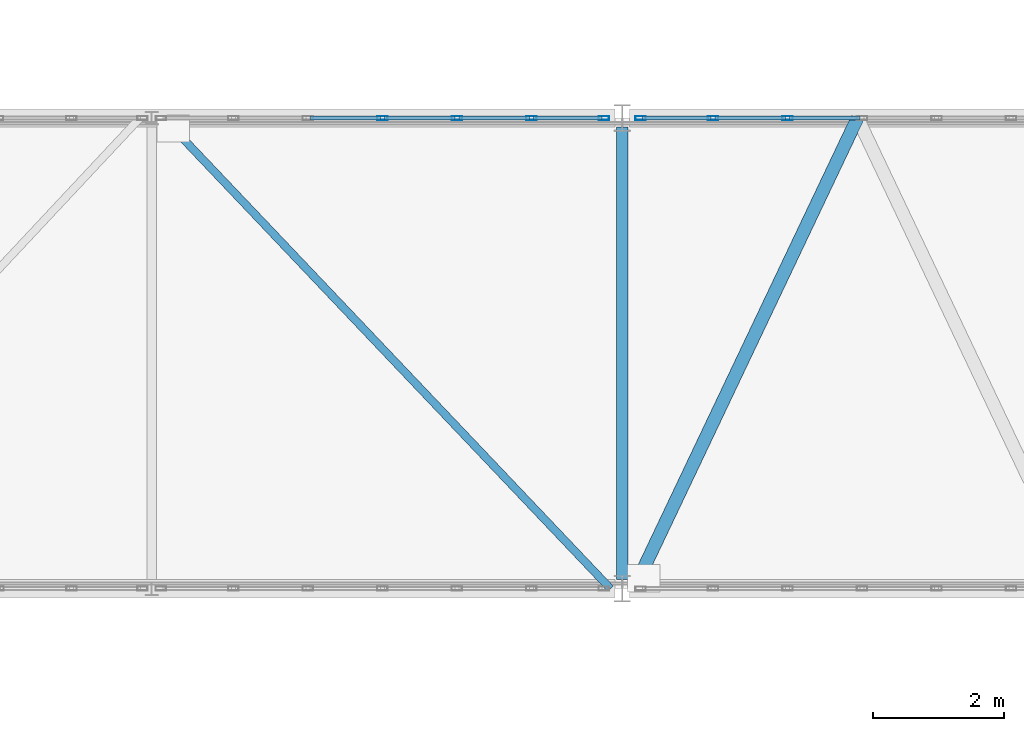
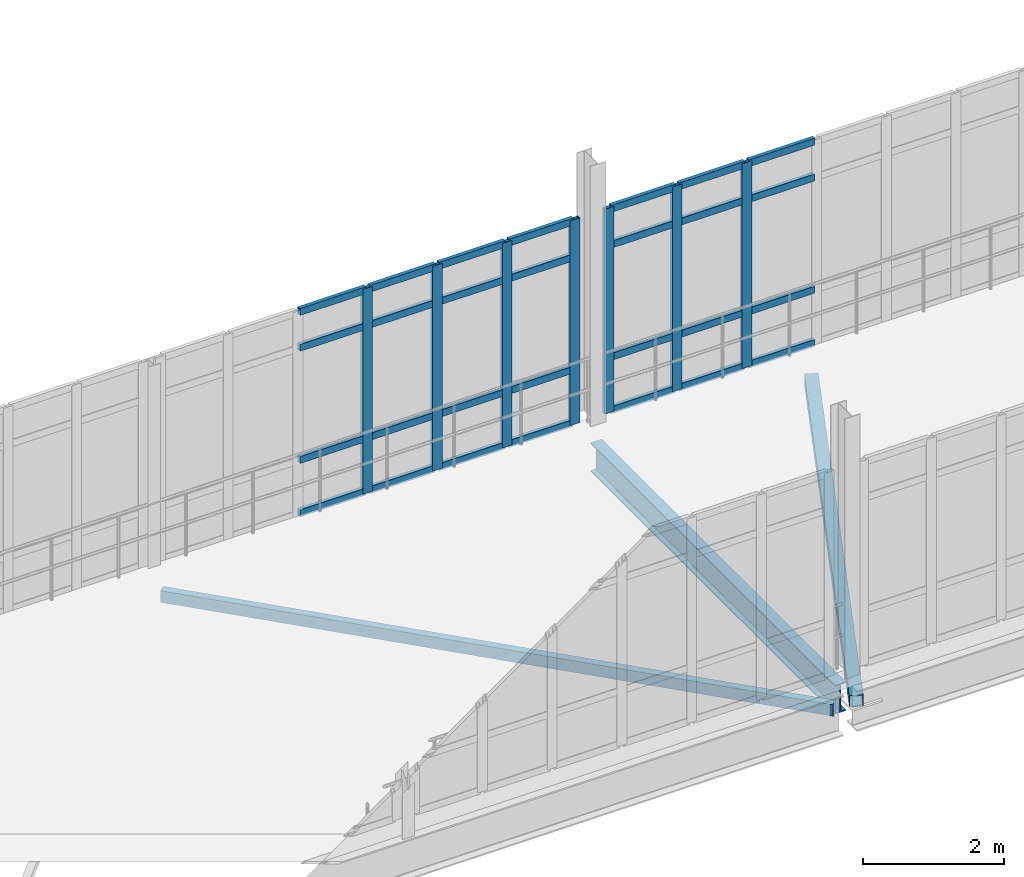
# One storey, part 23 of 116: 37 members, 1 beam, 2 elements without a shape of their own.
"""IFC4 building model written with IfcOpenShell, lengths in metres."""

from ifc_helpers import new_model, si_unit, direction, frame, origin, origin_2d, place, context, subcontext, project, spatial, hollow_rectangle, i_section, extrude, material, material_profile, profile_set, type_object, element, aggregate, save


model = new_model("IFC4")

# Units and contexts
model_context = context("Model", 3, precision=1e-05, world=origin(), true_north=direction((0.0, 1.0)))
body_context = subcontext(model_context, "Body", "Model", "MODEL_VIEW")
ifc_project = project(units=[si_unit("LENGTHUNIT", "METRE"), si_unit("AREAUNIT", "SQUARE_METRE"), si_unit("VOLUMEUNIT", "CUBIC_METRE"), si_unit("PLANEANGLEUNIT", "RADIAN"), si_unit("MASSUNIT", "GRAM", prefix="KILO")], contexts=[model_context])

# Site, building, storey
site_placement = place(None, origin())
site = spatial("IfcSite", under=ifc_project, at=site_placement, CompositionType="ELEMENT")
building_placement = place(site_placement, origin())
building = spatial("IfcBuilding", under=site, at=building_placement, Name="Kalluvel Institute of Natural Sciences", CompositionType="ELEMENT")
storey_placement = place(building_placement, frame((0.0, 0.0, 14.39990234375)))
storey = spatial("IfcBuildingStorey", under=building, at=storey_placement, Name="L03", CompositionType="ELEMENT", Elevation=14.39990234375)

# Beam
ifc_material_1 = material(Name="Steel E350 Grade 350", Category="steel")
ifc_material_profile_1 = material_profile(ifc_material_1, i_section(OverallWidth=0.179931640625, OverallDepth=0.5, WebThickness=0.01025390625, FlangeThickness=0.01708984375, FilletRadius=0.01708984375, at=origin_2d()), Name="ISMB 500")
ifc_profile_set_1 = profile_set([ifc_material_profile_1], Name="Steel E350 Grade 350")
beam_type = type_object("IfcBeamType", Name="BM-ISMB500", PredefinedType="BEAM", material=ifc_profile_set_1)
beam_placement = place(storey_placement, frame((50.0, 28.5400390625, -0.56982421875), z_axis=(0.0, 1.0, 0.0), x_axis=(-1.0, 0.0, 0.0)))
element("IfcBeam", 1, at=beam_placement, inside=storey, type_object=beam_type, Name="L03 link bridge cross girder 64", PredefinedType="BEAM", context=body_context, shape_type="SweptSolid", body=[
    extrude(i_section(OverallWidth=0.179931640625, OverallDepth=0.5, WebThickness=0.01025390625, FlangeThickness=0.01708984375, FilletRadius=0.01708984375, at=origin_2d()), origin(), (0.0, 0.0, 1.0), 6.919921875),
])

# Curtain wall, members
ifc_material_2 = material(Name="Aluminium AW-6063 T6", Category="aluminium")
curtain_wall_type = type_object("IfcCurtainWallType", Name="CW-BRG-45", PredefinedType="USERDEFINED", material=ifc_material_2)
curtain_wall_1_placement = place(storey_placement, origin())
curtain_wall_1 = element("IfcCurtainWall", 2, at=curtain_wall_1_placement, inside=storey, type_object=curtain_wall_type, Name="L03 Gothic lancet curtain wall CWA-L03-X429-Y356", ObjectType="UNITISED LANCET FACADE", PredefinedType="USERDEFINED")
ifc_material_profile_2 = material_profile(ifc_material_2, hollow_rectangle(XDim=0.06005859375, YDim=0.159912109375, WallThickness=0.00390625, at=origin_2d()), Name="CWM 60x160")
ifc_profile_set_2 = profile_set([ifc_material_profile_2], Name="Aluminium AW-6063 T6")
member_type_1 = type_object("IfcMemberType", Name="CWM-60x160", PredefinedType="MULLION", material=ifc_profile_set_2)
member_1_placement = place(storey_placement, frame((46.330078125, 35.60009765625, 0.0), z_axis=(0.0, 0.0, 1.0), x_axis=(0.0, 1.0, 0.0)))
member_1 = element("IfcMember", 3, at=member_1_placement, type_object=member_type_1, Name="CW-07 mullion 4", PredefinedType="MULLION", context=body_context, shape_type="SweptSolid", body=[
    extrude(hollow_rectangle(XDim=0.06005859375, YDim=0.159912109375, WallThickness=0.00390625, at=origin_2d()), origin(), (0.0, 0.0, 1.0), 3.5400390625),
])
member_2_placement = place(storey_placement, frame((47.469970703125, 35.60009765625, 0.0), z_axis=(0.0, 0.0, 1.0), x_axis=(0.0, 1.0, 0.0)))
member_2 = element("IfcMember", 4, at=member_2_placement, type_object=member_type_1, Name="CW-07 mullion 5", PredefinedType="MULLION", context=body_context, shape_type="SweptSolid", body=[
    extrude(hollow_rectangle(XDim=0.06005859375, YDim=0.159912109375, WallThickness=0.00390625, at=origin_2d()), origin(), (0.0, 0.0, 1.0), 3.5400390625),
])
member_3_placement = place(storey_placement, frame((48.610107421875, 35.60009765625, 0.0), z_axis=(0.0, 0.0, 1.0), x_axis=(0.0, 1.0, 0.0)))
member_3 = element("IfcMember", 5, at=member_3_placement, type_object=member_type_1, Name="CW-07 mullion 6", PredefinedType="MULLION", context=body_context, shape_type="SweptSolid", body=[
    extrude(hollow_rectangle(XDim=0.06005859375, YDim=0.159912109375, WallThickness=0.00390625, at=origin_2d()), origin(), (0.0, 0.0, 1.0), 3.5400390625),
])
member_4_placement = place(storey_placement, frame((49.719970703125, 35.60009765625, 0.0), z_axis=(0.0, 0.0, 1.0), x_axis=(0.0, 1.0, 0.0)))
member_4 = element("IfcMember", 6, at=member_4_placement, type_object=member_type_1, Name="CW-07 mullion 7", PredefinedType="MULLION", context=body_context, shape_type="SweptSolid", body=[
    extrude(hollow_rectangle(XDim=0.06005859375, YDim=0.159912109375, WallThickness=0.00390625, at=origin_2d()), origin(), (0.0, 0.0, 1.0), 3.5400390625),
])

curtain_wall_2_placement = place(storey_placement, origin())
curtain_wall_2 = element("IfcCurtainWall", 7, at=curtain_wall_2_placement, inside=storey, type_object=curtain_wall_type, Name="L03 Gothic lancet curtain wall CWA-L03-X502-Y356", ObjectType="UNITISED LANCET FACADE", PredefinedType="USERDEFINED")
member_5_placement = place(storey_placement, frame((50.280029296875, 35.60009765625, 0.0), z_axis=(0.0, 0.0, 1.0), x_axis=(0.0, 1.0, 0.0)))
member_5 = element("IfcMember", 8, at=member_5_placement, type_object=member_type_1, Name="CW-07 mullion 1", PredefinedType="MULLION", context=body_context, shape_type="SweptSolid", body=[
    extrude(hollow_rectangle(XDim=0.06005859375, YDim=0.159912109375, WallThickness=0.00390625, at=origin_2d()), origin(), (0.0, 0.0, 1.0), 3.5400390625),
])
member_6_placement = place(storey_placement, frame((51.389892578125, 35.60009765625, 0.0), z_axis=(0.0, 0.0, 1.0), x_axis=(0.0, 1.0, 0.0)))
member_6 = element("IfcMember", 9, at=member_6_placement, type_object=member_type_1, Name="CW-07 mullion 2", PredefinedType="MULLION", context=body_context, shape_type="SweptSolid", body=[
    extrude(hollow_rectangle(XDim=0.06005859375, YDim=0.159912109375, WallThickness=0.00390625, at=origin_2d()), origin(), (0.0, 0.0, 1.0), 3.5400390625),
])
member_7_placement = place(storey_placement, frame((52.530029296875, 35.60009765625, 0.0), z_axis=(0.0, 0.0, 1.0), x_axis=(0.0, 1.0, 0.0)))
member_7 = element("IfcMember", 10, at=member_7_placement, type_object=member_type_1, Name="CW-07 mullion 3", PredefinedType="MULLION", context=body_context, shape_type="SweptSolid", body=[
    extrude(hollow_rectangle(XDim=0.06005859375, YDim=0.159912109375, WallThickness=0.00390625, at=origin_2d()), origin(), (0.0, 0.0, 1.0), 3.5400390625),
])

# Member
ifc_material_profile_3 = material_profile(ifc_material_2, hollow_rectangle(XDim=0.06005859375, YDim=0.1201171875, WallThickness=0.00390625, at=origin_2d()), Name="CWT 60x120")
ifc_profile_set_3 = profile_set([ifc_material_profile_3], Name="Aluminium AW-6063 T6")
member_type_2 = type_object("IfcMemberType", Name="CWT-60x120", PredefinedType="USERDEFINED", material=ifc_profile_set_3)
member_8_placement = place(storey_placement, frame((45.219970703125, 35.60009765625, 0.030029296875), z_axis=(1.0, 0.0, 0.0), x_axis=(0.0, 1.0, 0.0)))
member_8 = element("IfcMember", 11, at=member_8_placement, type_object=member_type_2, Name="CW-07 transom 3.1", ObjectType="TRANSOM", PredefinedType="USERDEFINED", context=body_context, shape_type="SweptSolid", body=[
    extrude(hollow_rectangle(XDim=0.06005859375, YDim=0.1201171875, WallThickness=0.00390625, at=origin_2d()), origin(), (0.0, 0.0, 1.0), 1.080078125),
])

member_9_placement = place(storey_placement, frame((45.219970703125, 35.60009765625, 0.9501953125), z_axis=(1.0, 0.0, 0.0), x_axis=(0.0, 1.0, 0.0)))
member_9 = element("IfcMember", 12, at=member_9_placement, type_object=member_type_2, Name="CW-07 transom 3.2", ObjectType="TRANSOM", PredefinedType="USERDEFINED", context=body_context, shape_type="SweptSolid", body=[
    extrude(hollow_rectangle(XDim=0.06005859375, YDim=0.1201171875, WallThickness=0.00390625, at=origin_2d()), origin(), (0.0, 0.0, 1.0), 1.080078125),
])

member_10_placement = place(storey_placement, frame((45.219970703125, 35.60009765625, 2.89013671875), z_axis=(1.0, 0.0, 0.0), x_axis=(0.0, 1.0, 0.0)))
member_10 = element("IfcMember", 13, at=member_10_placement, type_object=member_type_2, Name="CW-07 transom 3.3", ObjectType="TRANSOM", PredefinedType="USERDEFINED", context=body_context, shape_type="SweptSolid", body=[
    extrude(hollow_rectangle(XDim=0.06005859375, YDim=0.1201171875, WallThickness=0.00390625, at=origin_2d()), origin(), (0.0, 0.0, 1.0), 1.080078125),
])

member_11_placement = place(storey_placement, frame((45.219970703125, 35.60009765625, 3.510009765625), z_axis=(1.0, 0.0, 0.0), x_axis=(0.0, 1.0, 0.0)))
member_11 = element("IfcMember", 14, at=member_11_placement, type_object=member_type_2, Name="CW-07 transom 3.4", ObjectType="TRANSOM", PredefinedType="USERDEFINED", context=body_context, shape_type="SweptSolid", body=[
    extrude(hollow_rectangle(XDim=0.06005859375, YDim=0.1201171875, WallThickness=0.00390625, at=origin_2d()), origin(), (0.0, 0.0, 1.0), 1.080078125),
])

member_12_placement = place(storey_placement, frame((46.360107421875, 35.60009765625, 0.030029296875), z_axis=(1.0, 0.0, 0.0), x_axis=(0.0, 1.0, 0.0)))
member_12 = element("IfcMember", 15, at=member_12_placement, type_object=member_type_2, Name="CW-07 transom 4.1", ObjectType="TRANSOM", PredefinedType="USERDEFINED", context=body_context, shape_type="SweptSolid", body=[
    extrude(hollow_rectangle(XDim=0.06005859375, YDim=0.1201171875, WallThickness=0.00390625, at=origin_2d()), origin(), (0.0, 0.0, 1.0), 1.079833984375),
])

member_13_placement = place(storey_placement, frame((46.360107421875, 35.60009765625, 0.9501953125), z_axis=(1.0, 0.0, 0.0), x_axis=(0.0, 1.0, 0.0)))
member_13 = element("IfcMember", 16, at=member_13_placement, type_object=member_type_2, Name="CW-07 transom 4.2", ObjectType="TRANSOM", PredefinedType="USERDEFINED", context=body_context, shape_type="SweptSolid", body=[
    extrude(hollow_rectangle(XDim=0.06005859375, YDim=0.1201171875, WallThickness=0.00390625, at=origin_2d()), origin(), (0.0, 0.0, 1.0), 1.079833984375),
])

member_14_placement = place(storey_placement, frame((46.360107421875, 35.60009765625, 2.89013671875), z_axis=(1.0, 0.0, 0.0), x_axis=(0.0, 1.0, 0.0)))
member_14 = element("IfcMember", 17, at=member_14_placement, type_object=member_type_2, Name="CW-07 transom 4.3", ObjectType="TRANSOM", PredefinedType="USERDEFINED", context=body_context, shape_type="SweptSolid", body=[
    extrude(hollow_rectangle(XDim=0.06005859375, YDim=0.1201171875, WallThickness=0.00390625, at=origin_2d()), origin(), (0.0, 0.0, 1.0), 1.079833984375),
])

member_15_placement = place(storey_placement, frame((46.360107421875, 35.60009765625, 3.510009765625), z_axis=(1.0, 0.0, 0.0), x_axis=(0.0, 1.0, 0.0)))
member_15 = element("IfcMember", 18, at=member_15_placement, type_object=member_type_2, Name="CW-07 transom 4.4", ObjectType="TRANSOM", PredefinedType="USERDEFINED", context=body_context, shape_type="SweptSolid", body=[
    extrude(hollow_rectangle(XDim=0.06005859375, YDim=0.1201171875, WallThickness=0.00390625, at=origin_2d()), origin(), (0.0, 0.0, 1.0), 1.079833984375),
])

member_16_placement = place(storey_placement, frame((47.5, 35.60009765625, 0.030029296875), z_axis=(1.0, 0.0, 0.0), x_axis=(0.0, 1.0, 0.0)))
member_16 = element("IfcMember", 19, at=member_16_placement, type_object=member_type_2, Name="CW-07 transom 5.1", ObjectType="TRANSOM", PredefinedType="USERDEFINED", context=body_context, shape_type="SweptSolid", body=[
    extrude(hollow_rectangle(XDim=0.06005859375, YDim=0.1201171875, WallThickness=0.00390625, at=origin_2d()), origin(), (0.0, 0.0, 1.0), 1.080078125),
])

member_17_placement = place(storey_placement, frame((47.5, 35.60009765625, 0.9501953125), z_axis=(1.0, 0.0, 0.0), x_axis=(0.0, 1.0, 0.0)))
member_17 = element("IfcMember", 20, at=member_17_placement, type_object=member_type_2, Name="CW-07 transom 5.2", ObjectType="TRANSOM", PredefinedType="USERDEFINED", context=body_context, shape_type="SweptSolid", body=[
    extrude(hollow_rectangle(XDim=0.06005859375, YDim=0.1201171875, WallThickness=0.00390625, at=origin_2d()), origin(), (0.0, 0.0, 1.0), 1.080078125),
])

member_18_placement = place(storey_placement, frame((47.5, 35.60009765625, 2.89013671875), z_axis=(1.0, 0.0, 0.0), x_axis=(0.0, 1.0, 0.0)))
member_18 = element("IfcMember", 21, at=member_18_placement, type_object=member_type_2, Name="CW-07 transom 5.3", ObjectType="TRANSOM", PredefinedType="USERDEFINED", context=body_context, shape_type="SweptSolid", body=[
    extrude(hollow_rectangle(XDim=0.06005859375, YDim=0.1201171875, WallThickness=0.00390625, at=origin_2d()), origin(), (0.0, 0.0, 1.0), 1.080078125),
])

member_19_placement = place(storey_placement, frame((47.5, 35.60009765625, 3.510009765625), z_axis=(1.0, 0.0, 0.0), x_axis=(0.0, 1.0, 0.0)))
member_19 = element("IfcMember", 22, at=member_19_placement, type_object=member_type_2, Name="CW-07 transom 5.4", ObjectType="TRANSOM", PredefinedType="USERDEFINED", context=body_context, shape_type="SweptSolid", body=[
    extrude(hollow_rectangle(XDim=0.06005859375, YDim=0.1201171875, WallThickness=0.00390625, at=origin_2d()), origin(), (0.0, 0.0, 1.0), 1.080078125),
])

member_20_placement = place(storey_placement, frame((48.639892578125, 35.60009765625, 0.030029296875), z_axis=(1.0, 0.0, 0.0), x_axis=(0.0, 1.0, 0.0)))
member_20 = element("IfcMember", 23, at=member_20_placement, type_object=member_type_2, Name="CW-07 transom 6.1", ObjectType="TRANSOM", PredefinedType="USERDEFINED", context=body_context, shape_type="SweptSolid", body=[
    extrude(hollow_rectangle(XDim=0.06005859375, YDim=0.1201171875, WallThickness=0.00390625, at=origin_2d()), origin(), (0.0, 0.0, 1.0), 1.050048828125),
])

member_21_placement = place(storey_placement, frame((48.639892578125, 35.60009765625, 0.9501953125), z_axis=(1.0, 0.0, 0.0), x_axis=(0.0, 1.0, 0.0)))
member_21 = element("IfcMember", 24, at=member_21_placement, type_object=member_type_2, Name="CW-07 transom 6.2", ObjectType="TRANSOM", PredefinedType="USERDEFINED", context=body_context, shape_type="SweptSolid", body=[
    extrude(hollow_rectangle(XDim=0.06005859375, YDim=0.1201171875, WallThickness=0.00390625, at=origin_2d()), origin(), (0.0, 0.0, 1.0), 1.050048828125),
])

member_22_placement = place(storey_placement, frame((48.639892578125, 35.60009765625, 2.89013671875), z_axis=(1.0, 0.0, 0.0), x_axis=(0.0, 1.0, 0.0)))
member_22 = element("IfcMember", 25, at=member_22_placement, type_object=member_type_2, Name="CW-07 transom 6.3", ObjectType="TRANSOM", PredefinedType="USERDEFINED", context=body_context, shape_type="SweptSolid", body=[
    extrude(hollow_rectangle(XDim=0.06005859375, YDim=0.1201171875, WallThickness=0.00390625, at=origin_2d()), origin(), (0.0, 0.0, 1.0), 1.050048828125),
])

member_23_placement = place(storey_placement, frame((48.639892578125, 35.60009765625, 3.510009765625), z_axis=(1.0, 0.0, 0.0), x_axis=(0.0, 1.0, 0.0)))
member_23 = element("IfcMember", 26, at=member_23_placement, type_object=member_type_2, Name="CW-07 transom 6.4", ObjectType="TRANSOM", PredefinedType="USERDEFINED", context=body_context, shape_type="SweptSolid", body=[
    extrude(hollow_rectangle(XDim=0.06005859375, YDim=0.1201171875, WallThickness=0.00390625, at=origin_2d()), origin(), (0.0, 0.0, 1.0), 1.050048828125),
])

aggregate(curtain_wall_1, [member_1, member_2, member_3, member_4, member_8, member_9, member_10, member_11, member_12, member_13, member_14, member_15, member_16, member_17, member_18, member_19, member_20, member_21, member_22, member_23])

member_24_placement = place(storey_placement, frame((50.31005859375, 35.60009765625, 0.030029296875), z_axis=(1.0, 0.0, 0.0), x_axis=(0.0, 1.0, 0.0)))
member_24 = element("IfcMember", 27, at=member_24_placement, type_object=member_type_2, Name="CW-07 transom 1.1", ObjectType="TRANSOM", PredefinedType="USERDEFINED", context=body_context, shape_type="SweptSolid", body=[
    extrude(hollow_rectangle(XDim=0.06005859375, YDim=0.1201171875, WallThickness=0.00390625, at=origin_2d()), origin(), (0.0, 0.0, 1.0), 1.050048828125),
])

member_25_placement = place(storey_placement, frame((50.31005859375, 35.60009765625, 0.9501953125), z_axis=(1.0, 0.0, 0.0), x_axis=(0.0, 1.0, 0.0)))
member_25 = element("IfcMember", 28, at=member_25_placement, type_object=member_type_2, Name="CW-07 transom 1.2", ObjectType="TRANSOM", PredefinedType="USERDEFINED", context=body_context, shape_type="SweptSolid", body=[
    extrude(hollow_rectangle(XDim=0.06005859375, YDim=0.1201171875, WallThickness=0.00390625, at=origin_2d()), origin(), (0.0, 0.0, 1.0), 1.050048828125),
])

member_26_placement = place(storey_placement, frame((50.31005859375, 35.60009765625, 2.89013671875), z_axis=(1.0, 0.0, 0.0), x_axis=(0.0, 1.0, 0.0)))
member_26 = element("IfcMember", 29, at=member_26_placement, type_object=member_type_2, Name="CW-07 transom 1.3", ObjectType="TRANSOM", PredefinedType="USERDEFINED", context=body_context, shape_type="SweptSolid", body=[
    extrude(hollow_rectangle(XDim=0.06005859375, YDim=0.1201171875, WallThickness=0.00390625, at=origin_2d()), origin(), (0.0, 0.0, 1.0), 1.050048828125),
])

member_27_placement = place(storey_placement, frame((50.31005859375, 35.60009765625, 3.510009765625), z_axis=(1.0, 0.0, 0.0), x_axis=(0.0, 1.0, 0.0)))
member_27 = element("IfcMember", 30, at=member_27_placement, type_object=member_type_2, Name="CW-07 transom 1.4", ObjectType="TRANSOM", PredefinedType="USERDEFINED", context=body_context, shape_type="SweptSolid", body=[
    extrude(hollow_rectangle(XDim=0.06005859375, YDim=0.1201171875, WallThickness=0.00390625, at=origin_2d()), origin(), (0.0, 0.0, 1.0), 1.050048828125),
])

member_28_placement = place(storey_placement, frame((51.419921875, 35.60009765625, 0.030029296875), z_axis=(1.0, 0.0, 0.0), x_axis=(0.0, 1.0, 0.0)))
member_28 = element("IfcMember", 31, at=member_28_placement, type_object=member_type_2, Name="CW-07 transom 2.1", ObjectType="TRANSOM", PredefinedType="USERDEFINED", context=body_context, shape_type="SweptSolid", body=[
    extrude(hollow_rectangle(XDim=0.06005859375, YDim=0.1201171875, WallThickness=0.00390625, at=origin_2d()), origin(), (0.0, 0.0, 1.0), 1.080078125),
])

member_29_placement = place(storey_placement, frame((51.419921875, 35.60009765625, 0.9501953125), z_axis=(1.0, 0.0, 0.0), x_axis=(0.0, 1.0, 0.0)))
member_29 = element("IfcMember", 32, at=member_29_placement, type_object=member_type_2, Name="CW-07 transom 2.2", ObjectType="TRANSOM", PredefinedType="USERDEFINED", context=body_context, shape_type="SweptSolid", body=[
    extrude(hollow_rectangle(XDim=0.06005859375, YDim=0.1201171875, WallThickness=0.00390625, at=origin_2d()), origin(), (0.0, 0.0, 1.0), 1.080078125),
])

member_30_placement = place(storey_placement, frame((51.419921875, 35.60009765625, 2.89013671875), z_axis=(1.0, 0.0, 0.0), x_axis=(0.0, 1.0, 0.0)))
member_30 = element("IfcMember", 33, at=member_30_placement, type_object=member_type_2, Name="CW-07 transom 2.3", ObjectType="TRANSOM", PredefinedType="USERDEFINED", context=body_context, shape_type="SweptSolid", body=[
    extrude(hollow_rectangle(XDim=0.06005859375, YDim=0.1201171875, WallThickness=0.00390625, at=origin_2d()), origin(), (0.0, 0.0, 1.0), 1.080078125),
])

member_31_placement = place(storey_placement, frame((51.419921875, 35.60009765625, 3.510009765625), z_axis=(1.0, 0.0, 0.0), x_axis=(0.0, 1.0, 0.0)))
member_31 = element("IfcMember", 34, at=member_31_placement, type_object=member_type_2, Name="CW-07 transom 2.4", ObjectType="TRANSOM", PredefinedType="USERDEFINED", context=body_context, shape_type="SweptSolid", body=[
    extrude(hollow_rectangle(XDim=0.06005859375, YDim=0.1201171875, WallThickness=0.00390625, at=origin_2d()), origin(), (0.0, 0.0, 1.0), 1.080078125),
])

member_32_placement = place(storey_placement, frame((52.56005859375, 35.60009765625, 0.030029296875), z_axis=(1.0, 0.0, 0.0), x_axis=(0.0, 1.0, 0.0)))
member_32 = element("IfcMember", 35, at=member_32_placement, type_object=member_type_2, Name="CW-07 transom 3.1", ObjectType="TRANSOM", PredefinedType="USERDEFINED", context=body_context, shape_type="SweptSolid", body=[
    extrude(hollow_rectangle(XDim=0.06005859375, YDim=0.1201171875, WallThickness=0.00390625, at=origin_2d()), origin(), (0.0, 0.0, 1.0), 1.079833984375),
])

member_33_placement = place(storey_placement, frame((52.56005859375, 35.60009765625, 0.9501953125), z_axis=(1.0, 0.0, 0.0), x_axis=(0.0, 1.0, 0.0)))
member_33 = element("IfcMember", 36, at=member_33_placement, type_object=member_type_2, Name="CW-07 transom 3.2", ObjectType="TRANSOM", PredefinedType="USERDEFINED", context=body_context, shape_type="SweptSolid", body=[
    extrude(hollow_rectangle(XDim=0.06005859375, YDim=0.1201171875, WallThickness=0.00390625, at=origin_2d()), origin(), (0.0, 0.0, 1.0), 1.079833984375),
])

member_34_placement = place(storey_placement, frame((52.56005859375, 35.60009765625, 2.89013671875), z_axis=(1.0, 0.0, 0.0), x_axis=(0.0, 1.0, 0.0)))
member_34 = element("IfcMember", 37, at=member_34_placement, type_object=member_type_2, Name="CW-07 transom 3.3", ObjectType="TRANSOM", PredefinedType="USERDEFINED", context=body_context, shape_type="SweptSolid", body=[
    extrude(hollow_rectangle(XDim=0.06005859375, YDim=0.1201171875, WallThickness=0.00390625, at=origin_2d()), origin(), (0.0, 0.0, 1.0), 1.079833984375),
])

member_35_placement = place(storey_placement, frame((52.56005859375, 35.60009765625, 3.510009765625), z_axis=(1.0, 0.0, 0.0), x_axis=(0.0, 1.0, 0.0)))
member_35 = element("IfcMember", 38, at=member_35_placement, type_object=member_type_2, Name="CW-07 transom 3.4", ObjectType="TRANSOM", PredefinedType="USERDEFINED", context=body_context, shape_type="SweptSolid", body=[
    extrude(hollow_rectangle(XDim=0.06005859375, YDim=0.1201171875, WallThickness=0.00390625, at=origin_2d()), origin(), (0.0, 0.0, 1.0), 1.079833984375),
])

aggregate(curtain_wall_2, [member_5, member_6, member_7, member_24, member_25, member_26, member_27, member_28, member_29, member_30, member_31, member_32, member_33, member_34, member_35])

# Members
ifc_material_profile_4 = material_profile(ifc_material_1, hollow_rectangle(XDim=0.1201171875, YDim=0.199951171875, WallThickness=0.008056640625, at=origin_2d()), Name="RHS 200x120x8")
ifc_profile_set_4 = profile_set([ifc_material_profile_4], Name="Steel E350 Grade 350")
member_type_3 = type_object("IfcMemberType", Name="MB-BR-RHS200", PredefinedType="BRACE", material=ifc_profile_set_4)
member_36_placement = place(storey_placement, frame((42.97998046875, 35.60009765625, -0.599853515625), z_axis=(0.688744293312, -0.725004343732, 0.0), x_axis=(0.725004343732, 0.688744293312, 0.0)))
element("IfcMember", 39, at=member_36_placement, inside=storey, type_object=member_type_3, Name="L03 link bridge horizontal plan brace L03-02-1", PredefinedType="BRACE", context=body_context, shape_type="SweptSolid", body=[
    extrude(hollow_rectangle(XDim=0.1201171875, YDim=0.199951171875, WallThickness=0.008056640625, at=origin_2d()), origin(), (0.0, 0.0, 1.0), 9.93115234375),
])
ifc_material_profile_5 = material_profile(ifc_material_1, hollow_rectangle(XDim=0.199951171875, YDim=0.199951171875, WallThickness=0.010009765625, at=origin_2d()), Name="SHS 200x200x10")
ifc_profile_set_5 = profile_set([ifc_material_profile_5], Name="Steel E350 Grade 350")
member_type_4 = type_object("IfcMemberType", Name="MB-BR-SHS200", PredefinedType="BRACE", material=ifc_profile_set_5)
member_37_placement = place(storey_placement, frame((50.179931640625, 28.39990234375, -0.599853515625), z_axis=(0.429064311405, 0.903273943319, 0.0), x_axis=(-0.903273943319, 0.429064311405, 0.0)))
element("IfcMember", 40, at=member_37_placement, inside=storey, type_object=member_type_4, Name="L03 link bridge horizontal plan brace L03-03-1", PredefinedType="BRACE", context=body_context, shape_type="SweptSolid", body=[
    extrude(hollow_rectangle(XDim=0.199951171875, YDim=0.199951171875, WallThickness=0.010009765625, at=origin_2d()), origin(), (0.0, 0.0, 1.0), 7.97119140625),
])

save(model, "model.ifc")
